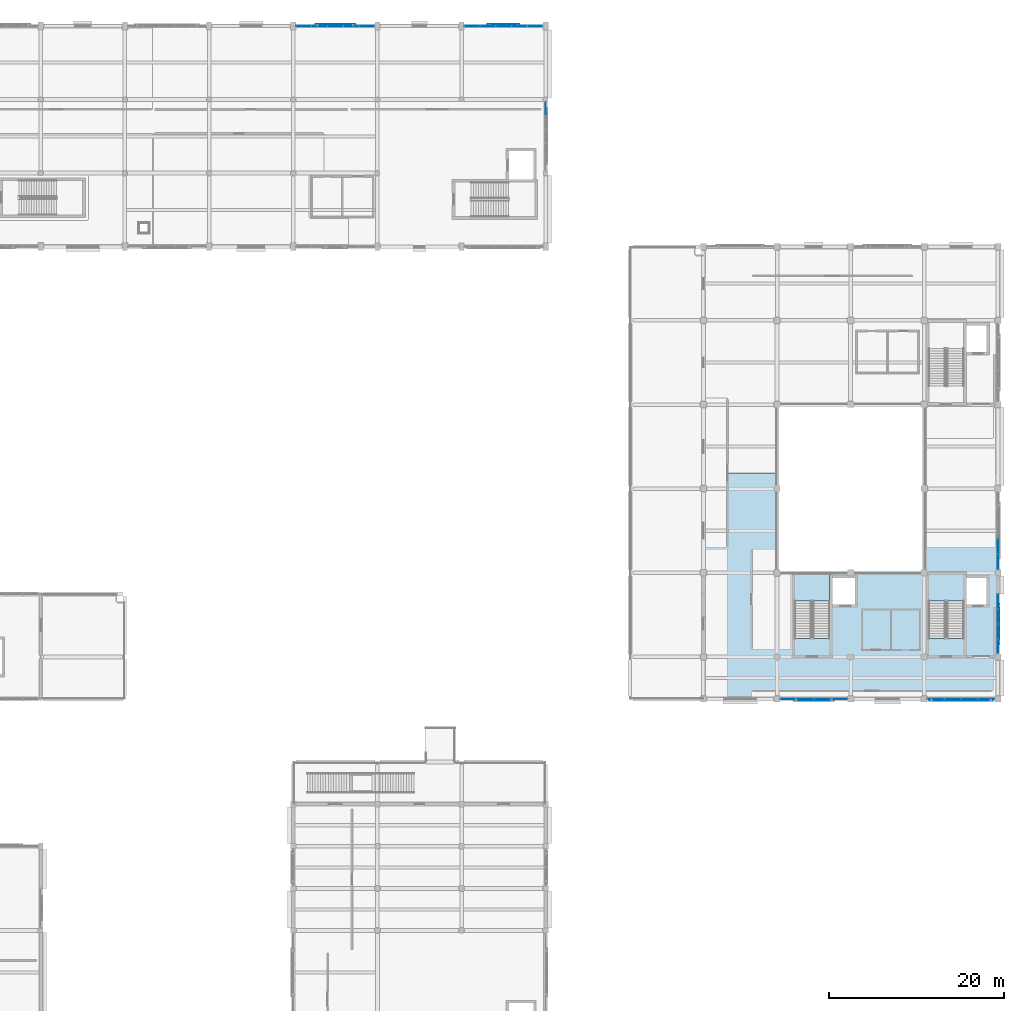
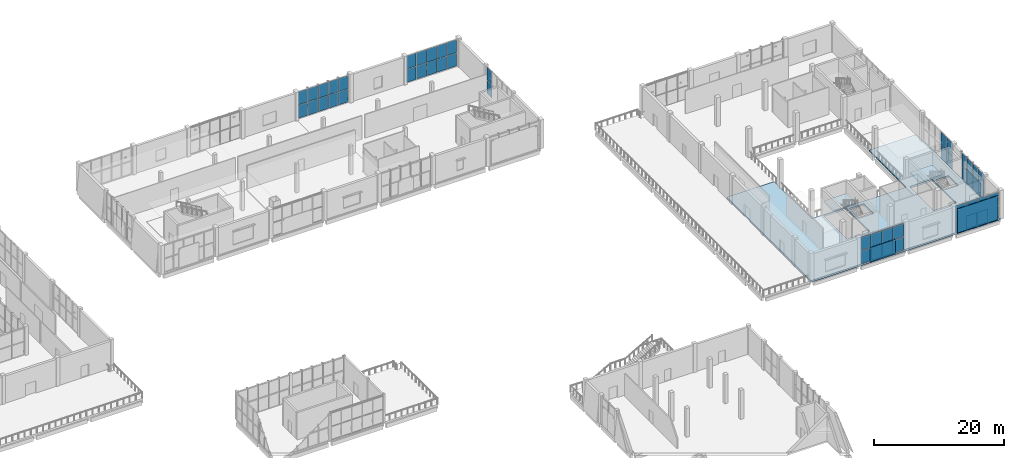
# One storey, part 50 of 83: 55 plates, 3 slabs, 9 elements without a shape of their own.
"""IFC4 building model written with IfcOpenShell, lengths in metres."""

from ifc_helpers import new_model, si_unit, direction, frame, origin, origin_2d, place, context, subcontext, project, spatial, polyline, rectangle, outline, extrude, material, layer, layer_set, type_object, element, aggregate, save


model = new_model("IFC4")

# Units and contexts
model_context = context("Model", 3, precision=1e-05, world=origin(), true_north=direction((0.0, 1.0)))
body_context = subcontext(model_context, "Body", "Model", "MODEL_VIEW")
ifc_project = project(units=[si_unit("LENGTHUNIT", "METRE"), si_unit("AREAUNIT", "SQUARE_METRE"), si_unit("VOLUMEUNIT", "CUBIC_METRE"), si_unit("PLANEANGLEUNIT", "RADIAN"), si_unit("MASSUNIT", "GRAM", prefix="KILO")], contexts=[model_context])

# Site, building, storey
site_placement = place(None, origin())
site = spatial("IfcSite", under=ifc_project, at=site_placement, CompositionType="ELEMENT")
building_placement = place(site_placement, origin())
building = spatial("IfcBuilding", under=site, at=building_placement, Name="Shalvenor Court Art Gallery", CompositionType="ELEMENT")
storey_placement = place(building_placement, frame((0.0, 0.0, 6.0)))
storey = spatial("IfcBuildingStorey", under=building, at=storey_placement, Name="L01", CompositionType="ELEMENT", Elevation=6.0)

# Curtain wall, plates
ifc_material_1 = material(Name="Anodised aluminium and low-iron glass curtain wall", Category="aluminium")
curtain_wall_type_1 = type_object("IfcCurtainWallType", Name="CW-5x2-89-51-412", PredefinedType="USERDEFINED", material=ifc_material_1)
curtain_wall_1_placement = place(storey_placement, origin())
curtain_wall_1 = element("IfcCurtainWall", 1, at=curtain_wall_1_placement, inside=storey, type_object=curtain_wall_type_1, Name="L01 V1 Curtain Wall CW-L01-006", ObjectType="CURTAIN WALL", PredefinedType="USERDEFINED")
ifc_material_2 = material(Name="Low-iron triple-silver solar gallery glazing IGU", Category="glass")
ifc_layer_1 = layer(ifc_material_2, 0.031982421875, Name="Low-iron triple-silver solar gallery glazing IGU")
ifc_layer_set_1 = layer_set([ifc_layer_1], Name="Low-iron triple-silver solar gallery glazing IGU")
plate_type_1 = type_object("IfcPlateType", Name="CWP-02", PredefinedType="CURTAIN_PANEL", material=ifc_layer_set_1)
plate_1_placement = place(storey_placement, frame((176.39990234375, 63.02001953125, 0.06005859375), z_axis=(0.0, 0.0, 1.0), x_axis=(0.0, -1.0, 0.0)))
plate_1 = element("IfcPlate", 2, at=plate_1_placement, type_object=plate_type_1, Name="CW-5x2-89-51-412 panel 4.1", PredefinedType="CURTAIN_PANEL", context=body_context, shape_type="SweptSolid", body=[
    extrude(rectangle(XDim=1.705078125, YDim=0.031982421875, at=origin_2d()), origin(), (0.0, 0.0, 1.0), 2.449951171875),
])
plate_2_placement = place(storey_placement, frame((176.39990234375, 63.02001953125, 2.56982421875), z_axis=(0.0, 0.0, 1.0), x_axis=(0.0, -1.0, 0.0)))
plate_2 = element("IfcPlate", 3, at=plate_2_placement, type_object=plate_type_1, Name="CW-5x2-89-51-412 panel 4.2", PredefinedType="CURTAIN_PANEL", context=body_context, shape_type="SweptSolid", body=[
    extrude(rectangle(XDim=1.705078125, YDim=0.031982421875, at=origin_2d()), origin(), (0.0, 0.0, 1.0), 2.449951171875),
])
plate_3_placement = place(storey_placement, frame((176.39990234375, 61.2587890625, 0.06005859375), z_axis=(0.0, 0.0, 1.0), x_axis=(0.0, -1.0, 0.0)))
plate_3 = element("IfcPlate", 4, at=plate_3_placement, type_object=plate_type_1, Name="CW-5x2-89-51-412 panel 5.1", PredefinedType="CURTAIN_PANEL", context=body_context, shape_type="SweptSolid", body=[
    extrude(rectangle(XDim=1.66748046875, YDim=0.031982421875, at=origin_2d()), origin(), (0.0, 0.0, 1.0), 2.449951171875),
])
plate_4_placement = place(storey_placement, frame((176.39990234375, 61.2587890625, 2.56982421875), z_axis=(0.0, 0.0, 1.0), x_axis=(0.0, -1.0, 0.0)))
plate_4 = element("IfcPlate", 5, at=plate_4_placement, type_object=plate_type_1, Name="CW-5x2-89-51-412 panel 5.2", PredefinedType="CURTAIN_PANEL", context=body_context, shape_type="SweptSolid", body=[
    extrude(rectangle(XDim=1.66748046875, YDim=0.031982421875, at=origin_2d()), origin(), (0.0, 0.0, 1.0), 2.449951171875),
])
aggregate(curtain_wall_1, [plate_1, plate_2, plate_3, plate_4])

ifc_material_3 = material(Name="Anodised aluminium and low-iron glass curtain wall", Category="aluminium")
curtain_wall_type_2 = type_object("IfcCurtainWallType", Name="CW-4x2-68-51-622", PredefinedType="USERDEFINED", material=ifc_material_3)
curtain_wall_2_placement = place(storey_placement, origin())
curtain_wall_2 = element("IfcCurtainWall", 6, at=curtain_wall_2_placement, inside=storey, type_object=curtain_wall_type_2, Name="L01 V1 Curtain Wall CW-L01-007", ObjectType="CURTAIN WALL", PredefinedType="USERDEFINED")
plate_5_placement = place(storey_placement, frame((176.39990234375, 56.72998046875, 0.06494140625), z_axis=(0.0, 0.0, 1.0), x_axis=(0.0, -1.0, 0.0)))
plate_5 = element("IfcPlate", 7, at=plate_5_placement, type_object=plate_type_1, Name="CW-4x2-68-51-622 panel 1.1", PredefinedType="CURTAIN_PANEL", context=body_context, shape_type="SweptSolid", body=[
    extrude(rectangle(XDim=1.6298828125, YDim=0.031982421875, at=origin_2d()), origin(), (0.0, 0.0, 1.0), 2.4423828125),
])
plate_6_placement = place(storey_placement, frame((176.39990234375, 56.72998046875, 2.572509765625), z_axis=(0.0, 0.0, 1.0), x_axis=(0.0, -1.0, 0.0)))
plate_6 = element("IfcPlate", 8, at=plate_6_placement, type_object=plate_type_1, Name="CW-4x2-68-51-622 panel 1.2", PredefinedType="CURTAIN_PANEL", context=body_context, shape_type="SweptSolid", body=[
    extrude(rectangle(XDim=1.6298828125, YDim=0.031982421875, at=origin_2d()), origin(), (0.0, 0.0, 1.0), 2.4423828125),
])
plate_7_placement = place(storey_placement, frame((176.39990234375, 55.03125, 0.06494140625), z_axis=(0.0, 0.0, 1.0), x_axis=(0.0, -1.0, 0.0)))
plate_7 = element("IfcPlate", 9, at=plate_7_placement, type_object=plate_type_1, Name="CW-4x2-68-51-622 panel 2.1", PredefinedType="CURTAIN_PANEL", context=body_context, shape_type="SweptSolid", body=[
    extrude(rectangle(XDim=1.657470703125, YDim=0.031982421875, at=origin_2d()), origin(), (0.0, 0.0, 1.0), 2.4423828125),
])
plate_8_placement = place(storey_placement, frame((176.39990234375, 55.03125, 2.572509765625), z_axis=(0.0, 0.0, 1.0), x_axis=(0.0, -1.0, 0.0)))
plate_8 = element("IfcPlate", 10, at=plate_8_placement, type_object=plate_type_1, Name="CW-4x2-68-51-622 panel 2.2", PredefinedType="CURTAIN_PANEL", context=body_context, shape_type="SweptSolid", body=[
    extrude(rectangle(XDim=1.657470703125, YDim=0.031982421875, at=origin_2d()), origin(), (0.0, 0.0, 1.0), 2.4423828125),
])
plate_9_placement = place(storey_placement, frame((176.39990234375, 53.31884765625, 0.06494140625), z_axis=(0.0, 0.0, 1.0), x_axis=(0.0, -1.0, 0.0)))
plate_9 = element("IfcPlate", 11, at=plate_9_placement, type_object=plate_type_1, Name="CW-4x2-68-51-622 panel 3.1", PredefinedType="CURTAIN_PANEL", context=body_context, shape_type="SweptSolid", body=[
    extrude(rectangle(XDim=1.657470703125, YDim=0.031982421875, at=origin_2d()), origin(), (0.0, 0.0, 1.0), 2.4423828125),
])
plate_10_placement = place(storey_placement, frame((176.39990234375, 53.31884765625, 2.572509765625), z_axis=(0.0, 0.0, 1.0), x_axis=(0.0, -1.0, 0.0)))
plate_10 = element("IfcPlate", 12, at=plate_10_placement, type_object=plate_type_1, Name="CW-4x2-68-51-622 panel 3.2", PredefinedType="CURTAIN_PANEL", context=body_context, shape_type="SweptSolid", body=[
    extrude(rectangle(XDim=1.657470703125, YDim=0.031982421875, at=origin_2d()), origin(), (0.0, 0.0, 1.0), 2.4423828125),
])
plate_11_placement = place(storey_placement, frame((176.39990234375, 51.6201171875, 0.06494140625), z_axis=(0.0, 0.0, 1.0), x_axis=(0.0, -1.0, 0.0)))
plate_11 = element("IfcPlate", 13, at=plate_11_placement, type_object=plate_type_1, Name="CW-4x2-68-51-622 panel 4.1", PredefinedType="CURTAIN_PANEL", context=body_context, shape_type="SweptSolid", body=[
    extrude(rectangle(XDim=1.6298828125, YDim=0.031982421875, at=origin_2d()), origin(), (0.0, 0.0, 1.0), 2.4423828125),
])
plate_12_placement = place(storey_placement, frame((176.39990234375, 51.6201171875, 2.572509765625), z_axis=(0.0, 0.0, 1.0), x_axis=(0.0, -1.0, 0.0)))
plate_12 = element("IfcPlate", 14, at=plate_12_placement, type_object=plate_type_1, Name="CW-4x2-68-51-622 panel 4.2", PredefinedType="CURTAIN_PANEL", context=body_context, shape_type="SweptSolid", body=[
    extrude(rectangle(XDim=1.6298828125, YDim=0.031982421875, at=origin_2d()), origin(), (0.0, 0.0, 1.0), 2.4423828125),
])
aggregate(curtain_wall_2, [plate_5, plate_6, plate_7, plate_8, plate_9, plate_10, plate_11, plate_12])

ifc_material_4 = material(Name="Anodised aluminium and low-iron glass curtain wall", Category="aluminium")
curtain_wall_type_3 = type_object("IfcCurtainWallType", Name="CW-4x2-77-51-142", PredefinedType="USERDEFINED", material=ifc_material_4)
curtain_wall_3_placement = place(storey_placement, origin())
curtain_wall_3 = element("IfcCurtainWall", 15, at=curtain_wall_3_placement, inside=storey, type_object=curtain_wall_type_3, Name="L01 V1 Curtain Wall CW-L01-008", ObjectType="CURTAIN WALL", PredefinedType="USERDEFINED")
plate_13_placement = place(storey_placement, frame((175.0712890625, 45.60009765625, 0.070068359375), z_axis=(0.0, 0.0, 1.0), x_axis=(-1.0, 0.0, 0.0)))
plate_13 = element("IfcPlate", 16, at=plate_13_placement, type_object=plate_type_1, Name="CW-4x2-77-51-142 panel 1.1", PredefinedType="CURTAIN_PANEL", context=body_context, shape_type="SweptSolid", body=[
    extrude(rectangle(XDim=1.827392578125, YDim=0.031982421875, at=origin_2d()), origin(), (0.0, 0.0, 1.0), 2.43505859375),
])
plate_14_placement = place(storey_placement, frame((175.0712890625, 45.60009765625, 2.574951171875), z_axis=(0.0, 0.0, 1.0), x_axis=(-1.0, 0.0, 0.0)))
plate_14 = element("IfcPlate", 17, at=plate_14_placement, type_object=plate_type_1, Name="CW-4x2-77-51-142 panel 1.2", PredefinedType="CURTAIN_PANEL", context=body_context, shape_type="SweptSolid", body=[
    extrude(rectangle(XDim=1.827392578125, YDim=0.031982421875, at=origin_2d()), origin(), (0.0, 0.0, 1.0), 2.43505859375),
])
plate_15_placement = place(storey_placement, frame((173.16259765625, 45.60009765625, 0.070068359375), z_axis=(0.0, 0.0, 1.0), x_axis=(-1.0, 0.0, 0.0)))
plate_15 = element("IfcPlate", 18, at=plate_15_placement, type_object=plate_type_1, Name="CW-4x2-77-51-142 panel 2.1", PredefinedType="CURTAIN_PANEL", context=body_context, shape_type="SweptSolid", body=[
    extrude(rectangle(XDim=1.860107421875, YDim=0.031982421875, at=origin_2d()), origin(), (0.0, 0.0, 1.0), 2.43505859375),
])
plate_16_placement = place(storey_placement, frame((173.16259765625, 45.60009765625, 2.574951171875), z_axis=(0.0, 0.0, 1.0), x_axis=(-1.0, 0.0, 0.0)))
plate_16 = element("IfcPlate", 19, at=plate_16_placement, type_object=plate_type_1, Name="CW-4x2-77-51-142 panel 2.2", PredefinedType="CURTAIN_PANEL", context=body_context, shape_type="SweptSolid", body=[
    extrude(rectangle(XDim=1.860107421875, YDim=0.031982421875, at=origin_2d()), origin(), (0.0, 0.0, 1.0), 2.43505859375),
])
plate_17_placement = place(storey_placement, frame((171.237548828125, 45.60009765625, 0.070068359375), z_axis=(0.0, 0.0, 1.0), x_axis=(-1.0, 0.0, 0.0)))
plate_17 = element("IfcPlate", 20, at=plate_17_placement, type_object=plate_type_1, Name="CW-4x2-77-51-142 panel 3.1", PredefinedType="CURTAIN_PANEL", context=body_context, shape_type="SweptSolid", body=[
    extrude(rectangle(XDim=1.860107421875, YDim=0.031982421875, at=origin_2d()), origin(), (0.0, 0.0, 1.0), 2.43505859375),
])
plate_18_placement = place(storey_placement, frame((171.237548828125, 45.60009765625, 2.574951171875), z_axis=(0.0, 0.0, 1.0), x_axis=(-1.0, 0.0, 0.0)))
plate_18 = element("IfcPlate", 21, at=plate_18_placement, type_object=plate_type_1, Name="CW-4x2-77-51-142 panel 3.2", PredefinedType="CURTAIN_PANEL", context=body_context, shape_type="SweptSolid", body=[
    extrude(rectangle(XDim=1.860107421875, YDim=0.031982421875, at=origin_2d()), origin(), (0.0, 0.0, 1.0), 2.43505859375),
])
plate_19_placement = place(storey_placement, frame((169.328857421875, 45.60009765625, 0.070068359375), z_axis=(0.0, 0.0, 1.0), x_axis=(-1.0, 0.0, 0.0)))
plate_19 = element("IfcPlate", 22, at=plate_19_placement, type_object=plate_type_1, Name="CW-4x2-77-51-142 panel 4.1", PredefinedType="CURTAIN_PANEL", context=body_context, shape_type="SweptSolid", body=[
    extrude(rectangle(XDim=1.827392578125, YDim=0.031982421875, at=origin_2d()), origin(), (0.0, 0.0, 1.0), 2.43505859375),
])
plate_20_placement = place(storey_placement, frame((169.328857421875, 45.60009765625, 2.574951171875), z_axis=(0.0, 0.0, 1.0), x_axis=(-1.0, 0.0, 0.0)))
plate_20 = element("IfcPlate", 23, at=plate_20_placement, type_object=plate_type_1, Name="CW-4x2-77-51-142 panel 4.2", PredefinedType="CURTAIN_PANEL", context=body_context, shape_type="SweptSolid", body=[
    extrude(rectangle(XDim=1.827392578125, YDim=0.031982421875, at=origin_2d()), origin(), (0.0, 0.0, 1.0), 2.43505859375),
])
aggregate(curtain_wall_3, [plate_13, plate_14, plate_15, plate_16, plate_17, plate_18, plate_19, plate_20])

ifc_material_5 = material(Name="Anodised aluminium and low-iron glass curtain wall", Category="aluminium")
curtain_wall_type_4 = type_object("IfcCurtainWallType", Name="CW-4x2-77-51-212", PredefinedType="USERDEFINED", material=ifc_material_5)
curtain_wall_4_placement = place(storey_placement, origin())
curtain_wall_4 = element("IfcCurtainWall", 24, at=curtain_wall_4_placement, inside=storey, type_object=curtain_wall_type_4, Name="L01 V1 Curtain Wall CW-L01-009", ObjectType="CURTAIN WALL", PredefinedType="USERDEFINED")
plate_21_placement = place(storey_placement, frame((158.27001953125, 45.60009765625, 0.06005859375), z_axis=(0.0, 0.0, 1.0), x_axis=(-1.0, 0.0, 0.0)))
plate_21 = element("IfcPlate", 25, at=plate_21_placement, type_object=plate_type_1, Name="CW-4x2-77-51-212 panel 1.1", PredefinedType="CURTAIN_PANEL", context=body_context, shape_type="SweptSolid", body=[
    extrude(rectangle(XDim=1.820068359375, YDim=0.031982421875, at=origin_2d()), origin(), (0.0, 0.0, 1.0), 2.449951171875),
])
plate_22_placement = place(storey_placement, frame((158.27001953125, 45.60009765625, 2.56982421875), z_axis=(0.0, 0.0, 1.0), x_axis=(-1.0, 0.0, 0.0)))
plate_22 = element("IfcPlate", 26, at=plate_22_placement, type_object=plate_type_1, Name="CW-4x2-77-51-212 panel 1.2", PredefinedType="CURTAIN_PANEL", context=body_context, shape_type="SweptSolid", body=[
    extrude(rectangle(XDim=1.820068359375, YDim=0.031982421875, at=origin_2d()), origin(), (0.0, 0.0, 1.0), 2.449951171875),
])
plate_23_placement = place(storey_placement, frame((156.362548828125, 45.60009765625, 0.06005859375), z_axis=(0.0, 0.0, 1.0), x_axis=(-1.0, 0.0, 0.0)))
plate_23 = element("IfcPlate", 27, at=plate_23_placement, type_object=plate_type_1, Name="CW-4x2-77-51-212 panel 2.1", PredefinedType="CURTAIN_PANEL", context=body_context, shape_type="SweptSolid", body=[
    extrude(rectangle(XDim=1.85498046875, YDim=0.031982421875, at=origin_2d()), origin(), (0.0, 0.0, 1.0), 2.449951171875),
])
plate_24_placement = place(storey_placement, frame((156.362548828125, 45.60009765625, 2.56982421875), z_axis=(0.0, 0.0, 1.0), x_axis=(-1.0, 0.0, 0.0)))
plate_24 = element("IfcPlate", 28, at=plate_24_placement, type_object=plate_type_1, Name="CW-4x2-77-51-212 panel 2.2", PredefinedType="CURTAIN_PANEL", context=body_context, shape_type="SweptSolid", body=[
    extrude(rectangle(XDim=1.85498046875, YDim=0.031982421875, at=origin_2d()), origin(), (0.0, 0.0, 1.0), 2.449951171875),
])
plate_25_placement = place(storey_placement, frame((154.4375, 45.60009765625, 0.06005859375), z_axis=(0.0, 0.0, 1.0), x_axis=(-1.0, 0.0, 0.0)))
plate_25 = element("IfcPlate", 29, at=plate_25_placement, type_object=plate_type_1, Name="CW-4x2-77-51-212 panel 3.1", PredefinedType="CURTAIN_PANEL", context=body_context, shape_type="SweptSolid", body=[
    extrude(rectangle(XDim=1.85498046875, YDim=0.031982421875, at=origin_2d()), origin(), (0.0, 0.0, 1.0), 2.449951171875),
])
plate_26_placement = place(storey_placement, frame((154.4375, 45.60009765625, 2.56982421875), z_axis=(0.0, 0.0, 1.0), x_axis=(-1.0, 0.0, 0.0)))
plate_26 = element("IfcPlate", 30, at=plate_26_placement, type_object=plate_type_1, Name="CW-4x2-77-51-212 panel 3.2", PredefinedType="CURTAIN_PANEL", context=body_context, shape_type="SweptSolid", body=[
    extrude(rectangle(XDim=1.85498046875, YDim=0.031982421875, at=origin_2d()), origin(), (0.0, 0.0, 1.0), 2.449951171875),
])
plate_27_placement = place(storey_placement, frame((152.530029296875, 45.60009765625, 0.06005859375), z_axis=(0.0, 0.0, 1.0), x_axis=(-1.0, 0.0, 0.0)))
plate_27 = element("IfcPlate", 31, at=plate_27_placement, type_object=plate_type_1, Name="CW-4x2-77-51-212 panel 4.1", PredefinedType="CURTAIN_PANEL", context=body_context, shape_type="SweptSolid", body=[
    extrude(rectangle(XDim=1.820068359375, YDim=0.031982421875, at=origin_2d()), origin(), (0.0, 0.0, 1.0), 2.449951171875),
])
plate_28_placement = place(storey_placement, frame((152.530029296875, 45.60009765625, 2.56982421875), z_axis=(0.0, 0.0, 1.0), x_axis=(-1.0, 0.0, 0.0)))
plate_28 = element("IfcPlate", 32, at=plate_28_placement, type_object=plate_type_1, Name="CW-4x2-77-51-212 panel 4.2", PredefinedType="CURTAIN_PANEL", context=body_context, shape_type="SweptSolid", body=[
    extrude(rectangle(XDim=1.820068359375, YDim=0.031982421875, at=origin_2d()), origin(), (0.0, 0.0, 1.0), 2.449951171875),
])
aggregate(curtain_wall_4, [plate_21, plate_22, plate_23, plate_24, plate_25, plate_26, plate_27, plate_28])

ifc_material_6 = material(Name="Anodised aluminium and low-iron glass curtain wall", Category="aluminium")
curtain_wall_type_5 = type_object("IfcCurtainWallType", Name="CW-5x2-90-51-122", PredefinedType="USERDEFINED", material=ifc_material_6)
curtain_wall_5_placement = place(storey_placement, origin())
curtain_wall_5 = element("IfcCurtainWall", 33, at=curtain_wall_5_placement, inside=storey, type_object=curtain_wall_type_5, Name="L01 V2 Curtain Wall CW-L01-064", ObjectType="CURTAIN WALL", PredefinedType="USERDEFINED")
plate_29_placement = place(storey_placement, frame((97.21630859375, 122.39990234375, 0.06494140625), z_axis=(0.0, 0.0, 1.0), x_axis=(1.0, 0.0, 0.0)))
plate_29 = element("IfcPlate", 34, at=plate_29_placement, type_object=plate_type_1, Name="CW-5x2-90-51-122 panel 1.1", PredefinedType="CURTAIN_PANEL", context=body_context, shape_type="SweptSolid", body=[
    extrude(rectangle(XDim=1.702392578125, YDim=0.031982421875, at=origin_2d()), origin(), (0.0, 0.0, 1.0), 2.4423828125),
])
plate_30_placement = place(storey_placement, frame((97.21630859375, 122.39990234375, 2.572509765625), z_axis=(0.0, 0.0, 1.0), x_axis=(1.0, 0.0, 0.0)))
plate_30 = element("IfcPlate", 35, at=plate_30_placement, type_object=plate_type_1, Name="CW-5x2-90-51-122 panel 1.2", PredefinedType="CURTAIN_PANEL", context=body_context, shape_type="SweptSolid", body=[
    extrude(rectangle(XDim=1.702392578125, YDim=0.031982421875, at=origin_2d()), origin(), (0.0, 0.0, 1.0), 2.4423828125),
])
plate_31_placement = place(storey_placement, frame((99.0, 122.39990234375, 0.06494140625), z_axis=(0.0, 0.0, 1.0), x_axis=(1.0, 0.0, 0.0)))
plate_31 = element("IfcPlate", 36, at=plate_31_placement, type_object=plate_type_1, Name="CW-5x2-90-51-122 panel 2.1", PredefinedType="CURTAIN_PANEL", context=body_context, shape_type="SweptSolid", body=[
    extrude(rectangle(XDim=1.735107421875, YDim=0.031982421875, at=origin_2d()), origin(), (0.0, 0.0, 1.0), 2.4423828125),
])
plate_32_placement = place(storey_placement, frame((99.0, 122.39990234375, 2.572509765625), z_axis=(0.0, 0.0, 1.0), x_axis=(1.0, 0.0, 0.0)))
plate_32 = element("IfcPlate", 37, at=plate_32_placement, type_object=plate_type_1, Name="CW-5x2-90-51-122 panel 2.2", PredefinedType="CURTAIN_PANEL", context=body_context, shape_type="SweptSolid", body=[
    extrude(rectangle(XDim=1.735107421875, YDim=0.031982421875, at=origin_2d()), origin(), (0.0, 0.0, 1.0), 2.4423828125),
])
plate_33_placement = place(storey_placement, frame((100.800048828125, 122.39990234375, 0.06494140625), z_axis=(0.0, 0.0, 1.0), x_axis=(1.0, 0.0, 0.0)))
plate_33 = element("IfcPlate", 38, at=plate_33_placement, type_object=plate_type_1, Name="CW-5x2-90-51-122 panel 3.1", PredefinedType="CURTAIN_PANEL", context=body_context, shape_type="SweptSolid", body=[
    extrude(rectangle(XDim=1.735107421875, YDim=0.031982421875, at=origin_2d()), origin(), (0.0, 0.0, 1.0), 2.4423828125),
])
plate_34_placement = place(storey_placement, frame((100.800048828125, 122.39990234375, 2.572509765625), z_axis=(0.0, 0.0, 1.0), x_axis=(1.0, 0.0, 0.0)))
plate_34 = element("IfcPlate", 39, at=plate_34_placement, type_object=plate_type_1, Name="CW-5x2-90-51-122 panel 3.2", PredefinedType="CURTAIN_PANEL", context=body_context, shape_type="SweptSolid", body=[
    extrude(rectangle(XDim=1.735107421875, YDim=0.031982421875, at=origin_2d()), origin(), (0.0, 0.0, 1.0), 2.4423828125),
])
plate_35_placement = place(storey_placement, frame((102.60009765625, 122.39990234375, 0.06494140625), z_axis=(0.0, 0.0, 1.0), x_axis=(1.0, 0.0, 0.0)))
plate_35 = element("IfcPlate", 40, at=plate_35_placement, type_object=plate_type_1, Name="CW-5x2-90-51-122 panel 4.1", PredefinedType="CURTAIN_PANEL", context=body_context, shape_type="SweptSolid", body=[
    extrude(rectangle(XDim=1.735107421875, YDim=0.031982421875, at=origin_2d()), origin(), (0.0, 0.0, 1.0), 2.4423828125),
])
plate_36_placement = place(storey_placement, frame((102.60009765625, 122.39990234375, 2.572509765625), z_axis=(0.0, 0.0, 1.0), x_axis=(1.0, 0.0, 0.0)))
plate_36 = element("IfcPlate", 41, at=plate_36_placement, type_object=plate_type_1, Name="CW-5x2-90-51-122 panel 4.2", PredefinedType="CURTAIN_PANEL", context=body_context, shape_type="SweptSolid", body=[
    extrude(rectangle(XDim=1.735107421875, YDim=0.031982421875, at=origin_2d()), origin(), (0.0, 0.0, 1.0), 2.4423828125),
])
plate_37_placement = place(storey_placement, frame((104.3837890625, 122.39990234375, 0.06494140625), z_axis=(0.0, 0.0, 1.0), x_axis=(1.0, 0.0, 0.0)))
plate_37 = element("IfcPlate", 42, at=plate_37_placement, type_object=plate_type_1, Name="CW-5x2-90-51-122 panel 5.1", PredefinedType="CURTAIN_PANEL", context=body_context, shape_type="SweptSolid", body=[
    extrude(rectangle(XDim=1.702392578125, YDim=0.031982421875, at=origin_2d()), origin(), (0.0, 0.0, 1.0), 2.4423828125),
])
plate_38_placement = place(storey_placement, frame((104.3837890625, 122.39990234375, 2.572509765625), z_axis=(0.0, 0.0, 1.0), x_axis=(1.0, 0.0, 0.0)))
plate_38 = element("IfcPlate", 43, at=plate_38_placement, type_object=plate_type_1, Name="CW-5x2-90-51-122 panel 5.2", PredefinedType="CURTAIN_PANEL", context=body_context, shape_type="SweptSolid", body=[
    extrude(rectangle(XDim=1.702392578125, YDim=0.031982421875, at=origin_2d()), origin(), (0.0, 0.0, 1.0), 2.4423828125),
])
aggregate(curtain_wall_5, [plate_29, plate_30, plate_31, plate_32, plate_33, plate_34, plate_35, plate_36, plate_37, plate_38])

ifc_material_7 = material(Name="Anodised aluminium and low-iron glass curtain wall", Category="aluminium")
curtain_wall_type_6 = type_object("IfcCurtainWallType", Name="CW-5x2-90-51-242", PredefinedType="USERDEFINED", material=ifc_material_7)
curtain_wall_6_placement = place(storey_placement, origin())
curtain_wall_6 = element("IfcCurtainWall", 44, at=curtain_wall_6_placement, inside=storey, type_object=curtain_wall_type_6, Name="L01 V2 Curtain Wall CW-L01-065", ObjectType="CURTAIN WALL", PredefinedType="USERDEFINED")
plate_39_placement = place(storey_placement, frame((116.41748046875, 122.39990234375, 0.070068359375), z_axis=(0.0, 0.0, 1.0), x_axis=(1.0, 0.0, 0.0)))
plate_39 = element("IfcPlate", 45, at=plate_39_placement, type_object=plate_type_1, Name="CW-5x2-90-51-242 panel 1.1", PredefinedType="CURTAIN_PANEL", context=body_context, shape_type="SweptSolid", body=[
    extrude(rectangle(XDim=1.695068359375, YDim=0.031982421875, at=origin_2d()), origin(), (0.0, 0.0, 1.0), 2.43505859375),
])
plate_40_placement = place(storey_placement, frame((116.41748046875, 122.39990234375, 2.574951171875), z_axis=(0.0, 0.0, 1.0), x_axis=(1.0, 0.0, 0.0)))
plate_40 = element("IfcPlate", 46, at=plate_40_placement, type_object=plate_type_1, Name="CW-5x2-90-51-242 panel 1.2", PredefinedType="CURTAIN_PANEL", context=body_context, shape_type="SweptSolid", body=[
    extrude(rectangle(XDim=1.695068359375, YDim=0.031982421875, at=origin_2d()), origin(), (0.0, 0.0, 1.0), 2.43505859375),
])
plate_41_placement = place(storey_placement, frame((118.199951171875, 122.39990234375, 0.070068359375), z_axis=(0.0, 0.0, 1.0), x_axis=(1.0, 0.0, 0.0)))
plate_41 = element("IfcPlate", 47, at=plate_41_placement, type_object=plate_type_1, Name="CW-5x2-90-51-242 panel 2.1", PredefinedType="CURTAIN_PANEL", context=body_context, shape_type="SweptSolid", body=[
    extrude(rectangle(XDim=1.72998046875, YDim=0.031982421875, at=origin_2d()), origin(), (0.0, 0.0, 1.0), 2.43505859375),
])
plate_42_placement = place(storey_placement, frame((118.199951171875, 122.39990234375, 2.574951171875), z_axis=(0.0, 0.0, 1.0), x_axis=(1.0, 0.0, 0.0)))
plate_42 = element("IfcPlate", 48, at=plate_42_placement, type_object=plate_type_1, Name="CW-5x2-90-51-242 panel 2.2", PredefinedType="CURTAIN_PANEL", context=body_context, shape_type="SweptSolid", body=[
    extrude(rectangle(XDim=1.72998046875, YDim=0.031982421875, at=origin_2d()), origin(), (0.0, 0.0, 1.0), 2.43505859375),
])
plate_43_placement = place(storey_placement, frame((120.0, 122.39990234375, 0.070068359375), z_axis=(0.0, 0.0, 1.0), x_axis=(1.0, 0.0, 0.0)))
plate_43 = element("IfcPlate", 49, at=plate_43_placement, type_object=plate_type_1, Name="CW-5x2-90-51-242 panel 3.1", PredefinedType="CURTAIN_PANEL", context=body_context, shape_type="SweptSolid", body=[
    extrude(rectangle(XDim=1.72998046875, YDim=0.031982421875, at=origin_2d()), origin(), (0.0, 0.0, 1.0), 2.43505859375),
])
plate_44_placement = place(storey_placement, frame((120.0, 122.39990234375, 2.574951171875), z_axis=(0.0, 0.0, 1.0), x_axis=(1.0, 0.0, 0.0)))
plate_44 = element("IfcPlate", 50, at=plate_44_placement, type_object=plate_type_1, Name="CW-5x2-90-51-242 panel 3.2", PredefinedType="CURTAIN_PANEL", context=body_context, shape_type="SweptSolid", body=[
    extrude(rectangle(XDim=1.72998046875, YDim=0.031982421875, at=origin_2d()), origin(), (0.0, 0.0, 1.0), 2.43505859375),
])
plate_45_placement = place(storey_placement, frame((121.800048828125, 122.39990234375, 0.070068359375), z_axis=(0.0, 0.0, 1.0), x_axis=(1.0, 0.0, 0.0)))
plate_45 = element("IfcPlate", 51, at=plate_45_placement, type_object=plate_type_1, Name="CW-5x2-90-51-242 panel 4.1", PredefinedType="CURTAIN_PANEL", context=body_context, shape_type="SweptSolid", body=[
    extrude(rectangle(XDim=1.72998046875, YDim=0.031982421875, at=origin_2d()), origin(), (0.0, 0.0, 1.0), 2.43505859375),
])
plate_46_placement = place(storey_placement, frame((121.800048828125, 122.39990234375, 2.574951171875), z_axis=(0.0, 0.0, 1.0), x_axis=(1.0, 0.0, 0.0)))
plate_46 = element("IfcPlate", 52, at=plate_46_placement, type_object=plate_type_1, Name="CW-5x2-90-51-242 panel 4.2", PredefinedType="CURTAIN_PANEL", context=body_context, shape_type="SweptSolid", body=[
    extrude(rectangle(XDim=1.72998046875, YDim=0.031982421875, at=origin_2d()), origin(), (0.0, 0.0, 1.0), 2.43505859375),
])
plate_47_placement = place(storey_placement, frame((123.58251953125, 122.39990234375, 0.070068359375), z_axis=(0.0, 0.0, 1.0), x_axis=(1.0, 0.0, 0.0)))
plate_47 = element("IfcPlate", 53, at=plate_47_placement, type_object=plate_type_1, Name="CW-5x2-90-51-242 panel 5.1", PredefinedType="CURTAIN_PANEL", context=body_context, shape_type="SweptSolid", body=[
    extrude(rectangle(XDim=1.695068359375, YDim=0.031982421875, at=origin_2d()), origin(), (0.0, 0.0, 1.0), 2.43505859375),
])
plate_48_placement = place(storey_placement, frame((123.58251953125, 122.39990234375, 2.574951171875), z_axis=(0.0, 0.0, 1.0), x_axis=(1.0, 0.0, 0.0)))
plate_48 = element("IfcPlate", 54, at=plate_48_placement, type_object=plate_type_1, Name="CW-5x2-90-51-242 panel 5.2", PredefinedType="CURTAIN_PANEL", context=body_context, shape_type="SweptSolid", body=[
    extrude(rectangle(XDim=1.695068359375, YDim=0.031982421875, at=origin_2d()), origin(), (0.0, 0.0, 1.0), 2.43505859375),
])
aggregate(curtain_wall_6, [plate_39, plate_40, plate_41, plate_42, plate_43, plate_44, plate_45, plate_46, plate_47, plate_48])

ifc_material_8 = material(Name="Anodised aluminium and low-iron glass curtain wall", Category="aluminium")
curtain_wall_type_7 = type_object("IfcCurtainWallType", Name="CW-5x2-79-51-412", PredefinedType="USERDEFINED", material=ifc_material_8)
curtain_wall_7_placement = place(storey_placement, origin())
curtain_wall_7 = element("IfcCurtainWall", 55, at=curtain_wall_7_placement, inside=storey, type_object=curtain_wall_type_7, Name="L01 V2 Curtain Wall CW-L01-066", ObjectType="CURTAIN WALL", PredefinedType="USERDEFINED")
plate_49_placement = place(storey_placement, frame((124.800048828125, 112.941162109375, 0.06005859375), z_axis=(0.0, 0.0, 1.0), x_axis=(0.0, -1.0, 0.0)))
plate_49 = element("IfcPlate", 56, at=plate_49_placement, type_object=plate_type_1, Name="CW-5x2-79-51-412 panel 1.1", PredefinedType="CURTAIN_PANEL", context=body_context, shape_type="SweptSolid", body=[
    extrude(rectangle(XDim=1.467529296875, YDim=0.031982421875, at=origin_2d()), origin(), (0.0, 0.0, 1.0), 2.449951171875),
])
plate_50_placement = place(storey_placement, frame((124.800048828125, 112.941162109375, 2.56982421875), z_axis=(0.0, 0.0, 1.0), x_axis=(0.0, -1.0, 0.0)))
plate_50 = element("IfcPlate", 57, at=plate_50_placement, type_object=plate_type_1, Name="CW-5x2-79-51-412 panel 1.2", PredefinedType="CURTAIN_PANEL", context=body_context, shape_type="SweptSolid", body=[
    extrude(rectangle(XDim=1.467529296875, YDim=0.031982421875, at=origin_2d()), origin(), (0.0, 0.0, 1.0), 2.449951171875),
])
aggregate(curtain_wall_7, [plate_49, plate_50])

# Slab
ifc_material_9 = material(Name="Concrete C40/50", Category="concrete")
ifc_layer_2 = layer(ifc_material_9, 0.320068359375, Name="Concrete C40/50")
ifc_layer_set_2 = layer_set([ifc_layer_2], Name="Concrete C40/50")
slab_type_1 = type_object("IfcSlabType", Name="FS-320", PredefinedType="FLOOR", material=ifc_layer_set_2)
slab_1_placement = place(storey_placement, frame((0.0, 0.0, -0.320068359375)))
element("IfcSlab", 58, at=slab_1_placement, inside=storey, type_object=slab_type_1, Name="L01 V1 Floor Slab 1", PredefinedType="FLOOR", context=body_context, shape_type="SweptSolid", body=[
    extrude(outline(polyline([(176.39990234375, 45.60009765625), (142.800048828125, 45.60009765625), (142.800048828125, 71.39990234375), (151.199951171875, 71.39990234375), (151.199951171875, 60.0), (168.0, 60.0), (168.0, 71.39990234375), (176.39990234375, 71.39990234375), (176.39990234375, 45.60009765625)]), holes=[polyline([(168.5, 59.800048828125), (168.5, 52.510986328125), (172.5, 52.510986328125), (172.5, 59.800048828125), (168.5, 59.800048828125)]), polyline([(157.199951171875, 59.800048828125), (153.199951171875, 59.800048828125), (153.199951171875, 52.510986328125), (157.199951171875, 52.510986328125), (157.199951171875, 59.800048828125)]), polyline([(172.81201171875, 56.39990234375), (175.10009765625, 56.39990234375), (175.10009765625, 59.39990234375), (172.81201171875, 59.39990234375), (172.81201171875, 56.39990234375)]), polyline([(157.511962890625, 59.39990234375), (157.511962890625, 56.39990234375), (160.10009765625, 56.39990234375), (160.10009765625, 59.39990234375), (157.511962890625, 59.39990234375)])]), origin(), (0.0, 0.0, 1.0), 0.320068359375),
])

# Plates
ifc_material_10 = material(Name="Perforated pale limestone GRC lattice", Category="masonry")
ifc_layer_3 = layer(ifc_material_10, 0.090087890625, Name="Perforated pale limestone GRC lattice")
ifc_layer_set_3 = layer_set([ifc_layer_3], Name="Perforated pale limestone GRC lattice")
plate_type_2 = type_object("IfcPlateType", Name="SCR-08", PredefinedType="USERDEFINED", material=ifc_layer_set_3)
plate_51_placement = place(storey_placement, frame((172.199951171875, 45.467041015625, 0.0), z_axis=(0.0, 0.0, 1.0), x_axis=(-1.0, 0.0, 0.0)))
element("IfcPlate", 59, at=plate_51_placement, inside=storey, type_object=plate_type_2, Name="L01 V1 Perforated Stone Lattice Screen PLT-SCR-0008", ObjectType="SCREEN", PredefinedType="USERDEFINED", context=body_context, shape_type="SweptSolid", body=[
    extrude(rectangle(XDim=7.199951171875, YDim=0.090087890625, at=origin_2d()), origin(), (0.0, 0.0, 1.0), 4.5),
])
ifc_material_11 = material(Name="Perforated pale limestone GRC lattice", Category="masonry")
ifc_layer_4 = layer(ifc_material_11, 0.090087890625, Name="Perforated pale limestone GRC lattice")
ifc_layer_set_4 = layer_set([ifc_layer_4], Name="Perforated pale limestone GRC lattice")
plate_type_3 = type_object("IfcPlateType", Name="SCR-09", PredefinedType="USERDEFINED", material=ifc_layer_set_4)
for number, where, z_axis, x_axis, name in (
    (60, (176.512939453125, 54.175048828125, 0.0), (0.0, 0.0, 1.0), (0.0, -1.0, 0.0), "L01 V1 Perforated Stone Lattice Screen PLT-SCR-0007"),
    (61, (155.39990234375, 45.45703125, 0.0), (0.0, 0.0, 1.0), (-1.0, 0.0, 0.0), "L01 V1 Perforated Stone Lattice Screen PLT-SCR-0009"),
    (62, (100.800048828125, 122.532958984375, 0.0), (0.0, 0.0, 1.0), (1.0, 0.0, 0.0), "L01 V2 Perforated Stone Lattice Screen PLT-SCR-0051"),
):
    element("IfcPlate", number, at=place(storey_placement, frame(where, z_axis=z_axis, x_axis=x_axis)), inside=storey, type_object=plate_type_3, Name=name, ObjectType="SCREEN", PredefinedType="USERDEFINED", context=body_context, shape_type="SweptSolid", body=[
        extrude(rectangle(XDim=4.5, YDim=0.090087890625, at=origin_2d()), origin(), (0.0, 0.0, 1.0), 2.699951171875),
    ])
ifc_material_12 = material(Name="Perforated pale limestone GRC lattice", Category="masonry")
ifc_layer_5 = layer(ifc_material_12, 0.090087890625, Name="Perforated pale limestone GRC lattice")
ifc_layer_set_5 = layer_set([ifc_layer_5], Name="Perforated pale limestone GRC lattice")
plate_type_4 = type_object("IfcPlateType", Name="SCR-10", PredefinedType="USERDEFINED", material=ifc_layer_set_5)
plate_52_placement = place(storey_placement, frame((120.0, 122.54296875, 0.0), z_axis=(0.0, 0.0, 1.0), x_axis=(1.0, 0.0, 0.0)))
element("IfcPlate", 63, at=plate_52_placement, inside=storey, type_object=plate_type_4, Name="L01 V2 Perforated Stone Lattice Screen PLT-SCR-0052", ObjectType="SCREEN", PredefinedType="USERDEFINED", context=body_context, shape_type="SweptSolid", body=[
    extrude(rectangle(XDim=3.60009765625, YDim=0.090087890625, at=origin_2d()), origin(), (0.0, 0.0, 1.0), 2.699951171875),
])

# Stair, slab
ifc_material_13 = material(Name="Concrete C40/50", Category="concrete")
stair_type = type_object("IfcStairType", Name="ST-DL-32R-1900", PredefinedType="HALF_TURN_STAIR", material=ifc_material_13)
stair_1_placement = place(storey_placement, origin())
stair_1 = element("IfcStair", 64, at=stair_1_placement, inside=storey, type_object=stair_type, Name="L01 Core Dogleg Stair ST-02", PredefinedType="HALF_TURN_STAIR")
ifc_material_14 = material(Name="Concrete C40/50", Category="concrete")
ifc_layer_6 = layer(ifc_material_14, 0.300048828125, Name="Concrete C40/50")
ifc_layer_set_6 = layer_set([ifc_layer_6], Name="Concrete C40/50")
slab_type_2 = type_object("IfcSlabType", Name="SLD-300", PredefinedType="LANDING", material=ifc_layer_set_6)
slab_2_placement = place(storey_placement, frame((0.0, 0.0, 2.39990234375)))
slab_2 = element("IfcSlab", 65, at=slab_2_placement, type_object=slab_type_2, Name="ST-DL-32R-1900 landing 1", PredefinedType="LANDING", context=body_context, shape_type="SweptSolid", body=[
    extrude(outline(polyline([(172.5, 56.77490234375), (172.5, 59.800048828125), (168.5, 59.800048828125), (168.5, 56.77490234375), (172.5, 56.77490234375)])), origin(), (0.0, 0.0, 1.0), 0.300048828125),
])
aggregate(stair_1, [slab_2])

stair_2_placement = place(storey_placement, origin())
stair_2 = element("IfcStair", 66, at=stair_2_placement, inside=storey, type_object=stair_type, Name="L01 Core Dogleg Stair ST-03", PredefinedType="HALF_TURN_STAIR")
slab_3_placement = place(storey_placement, frame((0.0, 0.0, 2.39990234375)))
slab_3 = element("IfcSlab", 67, at=slab_3_placement, type_object=slab_type_2, Name="ST-DL-32R-1900 landing 1", PredefinedType="LANDING", context=body_context, shape_type="SweptSolid", body=[
    extrude(outline(polyline([(157.199951171875, 56.77490234375), (157.199951171875, 59.800048828125), (153.199951171875, 59.800048828125), (153.199951171875, 56.77490234375), (157.199951171875, 56.77490234375)])), origin(), (0.0, 0.0, 1.0), 0.300048828125),
])
aggregate(stair_2, [slab_3])

save(model, "model.ifc")
